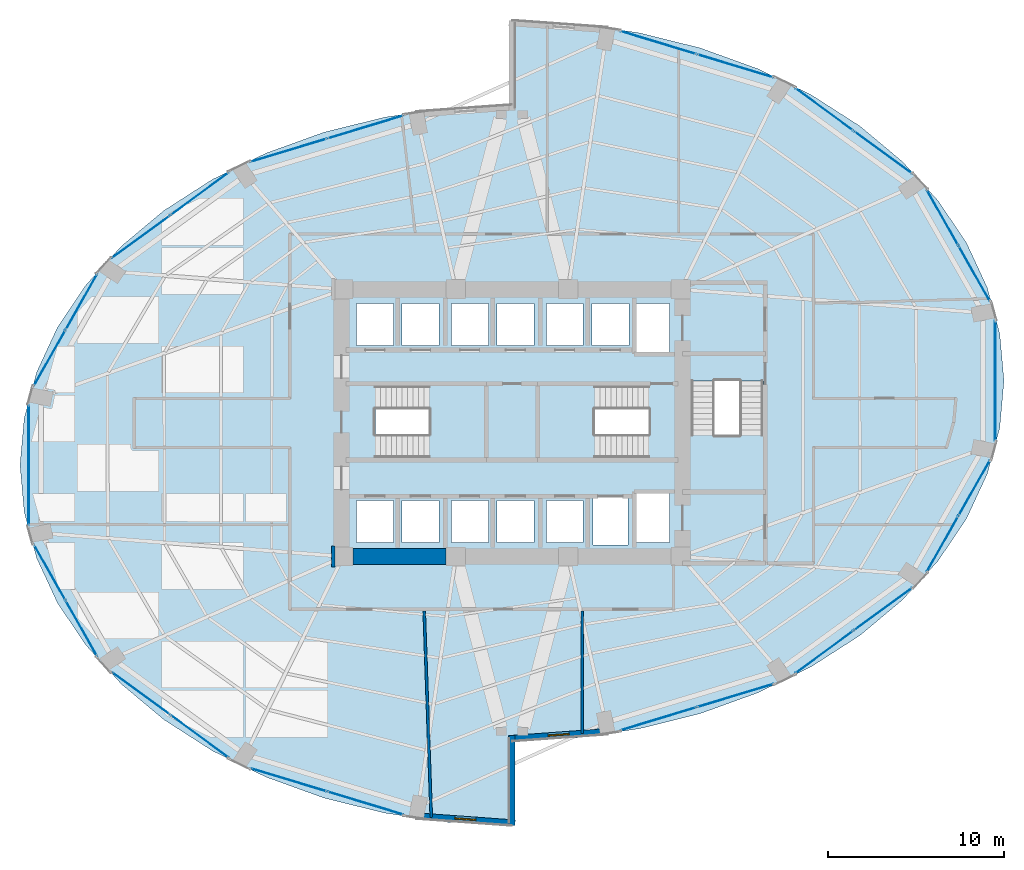
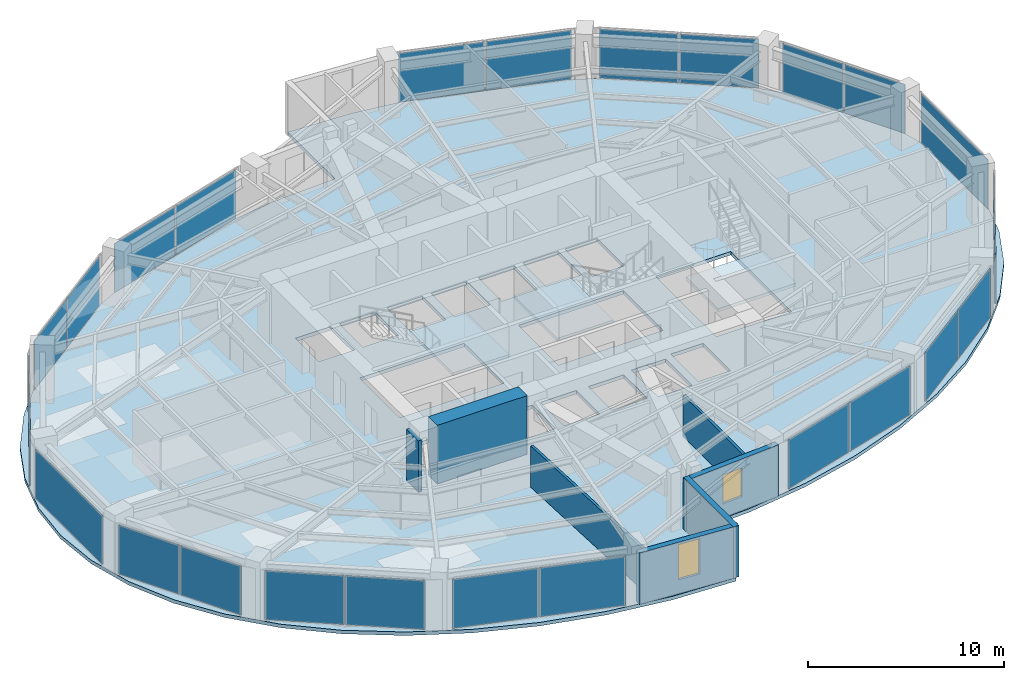
# One storey, part 19 of 24: 26 plates, 7 walls, 4 slabs, 2 windows, 2 openings, 17 elements without a shape of their own.
"""IFC4 building model written with IfcOpenShell, lengths in metres."""

from ifc_helpers import new_model, si_unit, direction, frame, frame_2d, origin, origin_2d, place, context, subcontext, project, spatial, polyline, rectangle, outline, extrude, material, layer, layer_set, type_object, element, fill, aggregate, save


model = new_model("IFC4")

# Units and contexts
model_context = context("Model", 3, precision=1e-05, world=origin(), true_north=direction((0.0, 1.0)))
body_context = subcontext(model_context, "Body", "Model", "MODEL_VIEW")
ifc_project = project(units=[si_unit("LENGTHUNIT", "METRE"), si_unit("AREAUNIT", "SQUARE_METRE"), si_unit("VOLUMEUNIT", "CUBIC_METRE"), si_unit("PLANEANGLEUNIT", "RADIAN"), si_unit("MASSUNIT", "GRAM", prefix="KILO")], contexts=[model_context])

# Site, building, storey
site_placement = place(None, origin())
site = spatial("IfcSite", under=ifc_project, at=site_placement, CompositionType="ELEMENT")
building_placement = place(site_placement, origin())
building = spatial("IfcBuilding", under=site, at=building_placement, Name="Lazwardi Medical Tower", CompositionType="ELEMENT")
storey_placement = place(building_placement, frame((0.0, 0.0, 72.6240234375)))
storey = spatial("IfcBuildingStorey", under=building, at=storey_placement, Name="L18", CompositionType="ELEMENT", Elevation=72.6240234375)

# Curtain wall, plates
ifc_material_1 = material(Name="Anodised bronze aluminium and solar control glazing", Category="aluminium")
ifc_layer_1 = layer(ifc_material_1, 0.199951171875)
ifc_layer_set_1 = layer_set([ifc_layer_1], Name="Anodised bronze aluminium and solar control glazing")
curtain_wall_type = type_object("IfcCurtainWallType", Name="CW-SYS-02", PredefinedType="NOTDEFINED", material=ifc_layer_set_1)
curtain_wall_1_placement = place(storey_placement, origin())
curtain_wall_1 = element("IfcCurtainWall", 1, at=curtain_wall_1_placement, inside=storey, type_object=curtain_wall_type, Name="L18 Unitised bronze curtain wall CW-02", PredefinedType="NOTDEFINED")
ifc_material_2 = material(Name="Low-e bronze solar control double glazing", Category="glass")
ifc_layer_2 = layer(ifc_material_2, 0.035888671875)
ifc_layer_set_2 = layer_set([ifc_layer_2], Name="Low-e bronze solar control double glazing")
plate_type = type_object("IfcPlateType", Name="PLT-GLZ-01", PredefinedType="CURTAIN_PANEL", material=ifc_layer_set_2)
plate_1_placement = place(storey_placement, frame((44.335693359375, 11.158935546875, 0.07470703125), z_axis=(0.0, 0.0, 1.0), x_axis=(0.957058247129, 0.2898956909, 0.0)))
plate_1 = element("IfcPlate", 2, at=plate_1_placement, type_object=plate_type, Name="CW-02 panel 1.1", PredefinedType="CURTAIN_PANEL", context=body_context, shape_type="SweptSolid", body=[
    extrude(rectangle(XDim=4.49658203125, YDim=0.035888671875, at=origin_2d()), origin(), (0.0, 0.0, 1.0), 3.048095703125),
])
plate_2_placement = place(storey_placement, frame((48.7109375, 12.484130859375, 0.07470703125), z_axis=(0.0, 0.0, 1.0), x_axis=(0.957058247129, 0.2898956909, 0.0)))
plate_2 = element("IfcPlate", 3, at=plate_2_placement, type_object=plate_type, Name="CW-02 panel 2.1", PredefinedType="CURTAIN_PANEL", context=body_context, shape_type="SweptSolid", body=[
    extrude(rectangle(XDim=4.49658203125, YDim=0.035888671875, at=origin_2d()), origin(), (0.0, 0.0, 1.0), 3.048095703125),
])
aggregate(curtain_wall_1, [plate_1, plate_2])

curtain_wall_2_placement = place(storey_placement, origin())
curtain_wall_2 = element("IfcCurtainWall", 4, at=curtain_wall_2_placement, inside=storey, type_object=curtain_wall_type, Name="L18 Unitised bronze curtain wall CW-02", PredefinedType="NOTDEFINED")
plate_3_placement = place(storey_placement, frame((53.771484375, 14.957275390625, 0.07470703125), z_axis=(0.0, 0.0, 1.0), x_axis=(0.807191757663, 0.590289307341, 0.0)))
plate_3 = element("IfcPlate", 5, at=plate_3_placement, type_object=plate_type, Name="CW-02 panel 1.1", PredefinedType="CURTAIN_PANEL", context=body_context, shape_type="SweptSolid", body=[
    extrude(rectangle(XDim=4.070068359375, YDim=0.035888671875, at=origin_2d()), origin(), (0.0, 0.0, 1.0), 3.048095703125),
])
plate_4_placement = place(storey_placement, frame((57.117431640625, 17.404052734375, 0.07470703125), z_axis=(0.0, 0.0, 1.0), x_axis=(0.807191757663, 0.590289307341, 0.0)))
plate_4 = element("IfcPlate", 6, at=plate_4_placement, type_object=plate_type, Name="CW-02 panel 2.1", PredefinedType="CURTAIN_PANEL", context=body_context, shape_type="SweptSolid", body=[
    extrude(rectangle(XDim=4.070068359375, YDim=0.035888671875, at=origin_2d()), origin(), (0.0, 0.0, 1.0), 3.048095703125),
])
aggregate(curtain_wall_2, [plate_3, plate_4])

curtain_wall_3_placement = place(storey_placement, origin())
curtain_wall_3 = element("IfcCurtainWall", 7, at=curtain_wall_3_placement, inside=storey, type_object=curtain_wall_type, Name="L18 Unitised bronze curtain wall CW-02", PredefinedType="NOTDEFINED")
plate_5_placement = place(storey_placement, frame((60.5009765625, 21.10791015625, 0.07470703125), z_axis=(0.0, 0.0, 1.0), x_axis=(0.492854327303, 0.870111838823, 0.0)))
plate_5 = element("IfcPlate", 8, at=plate_5_placement, type_object=plate_type, Name="CW-02 panel 1.1", PredefinedType="CURTAIN_PANEL", context=body_context, shape_type="SweptSolid", body=[
    extrude(rectangle(XDim=3.5947265625, YDim=0.035888671875, at=origin_2d()), origin(), (0.0, 0.0, 1.0), 3.048095703125),
])
plate_6_placement = place(storey_placement, frame((62.3095703125, 24.301025390625, 0.07470703125), z_axis=(0.0, 0.0, 1.0), x_axis=(0.492854327303, 0.870111838823, 0.0)))
plate_6 = element("IfcPlate", 9, at=plate_6_placement, type_object=plate_type, Name="CW-02 panel 2.1", PredefinedType="CURTAIN_PANEL", context=body_context, shape_type="SweptSolid", body=[
    extrude(rectangle(XDim=3.5947265625, YDim=0.035888671875, at=origin_2d()), origin(), (0.0, 0.0, 1.0), 3.048095703125),
])
aggregate(curtain_wall_3, [plate_5, plate_6])

# Curtain wall, plate
curtain_wall_4_placement = place(storey_placement, origin())
curtain_wall_4 = element("IfcCurtainWall", 10, at=curtain_wall_4_placement, inside=storey, type_object=curtain_wall_type, Name="L18 Unitised bronze curtain wall CW-02", PredefinedType="NOTDEFINED")
plate_7_placement = place(storey_placement, frame((63.49853515625, 30.39990234375, 0.07470703125), z_axis=(0.0, 0.0, 1.0), x_axis=(0.0, 1.0, 0.0)))
plate_7 = element("IfcPlate", 11, at=plate_7_placement, type_object=plate_type, Name="CW-02 panel 1.1", PredefinedType="CURTAIN_PANEL", context=body_context, shape_type="SweptSolid", body=[
    extrude(rectangle(XDim=6.8330078125, YDim=0.035888671875, at=origin_2d()), origin(), (0.0, 0.0, 1.0), 3.048095703125),
])
aggregate(curtain_wall_4, [plate_7])

# Curtain wall, plates
curtain_wall_5_placement = place(storey_placement, origin())
curtain_wall_5 = element("IfcCurtainWall", 12, at=curtain_wall_5_placement, inside=storey, type_object=curtain_wall_type, Name="L18 Unitised bronze curtain wall CW-02", PredefinedType="NOTDEFINED")
plate_8_placement = place(storey_placement, frame((62.3095703125, 36.498779296875, 0.07470703125), z_axis=(0.0, 0.0, 1.0), x_axis=(-0.492854327303, 0.870111838823, 0.0)))
plate_8 = element("IfcPlate", 13, at=plate_8_placement, type_object=plate_type, Name="CW-02 panel 1.1", PredefinedType="CURTAIN_PANEL", context=body_context, shape_type="SweptSolid", body=[
    extrude(rectangle(XDim=3.5947265625, YDim=0.035888671875, at=origin_2d()), origin(), (0.0, 0.0, 1.0), 3.048095703125),
])
plate_9_placement = place(storey_placement, frame((60.5009765625, 39.69189453125, 0.07470703125), z_axis=(0.0, 0.0, 1.0), x_axis=(-0.492854327303, 0.870111838823, 0.0)))
plate_9 = element("IfcPlate", 14, at=plate_9_placement, type_object=plate_type, Name="CW-02 panel 2.1", PredefinedType="CURTAIN_PANEL", context=body_context, shape_type="SweptSolid", body=[
    extrude(rectangle(XDim=3.5947265625, YDim=0.035888671875, at=origin_2d()), origin(), (0.0, 0.0, 1.0), 3.048095703125),
])
aggregate(curtain_wall_5, [plate_8, plate_9])

curtain_wall_6_placement = place(storey_placement, origin())
curtain_wall_6 = element("IfcCurtainWall", 15, at=curtain_wall_6_placement, inside=storey, type_object=curtain_wall_type, Name="L18 Unitised bronze curtain wall CW-02", PredefinedType="NOTDEFINED")
plate_10_placement = place(storey_placement, frame((57.117431640625, 43.39599609375, 0.07470703125), z_axis=(0.0, 0.0, 1.0), x_axis=(-0.807191757663, 0.590289307341, 0.0)))
plate_10 = element("IfcPlate", 16, at=plate_10_placement, type_object=plate_type, Name="CW-02 panel 1.1", PredefinedType="CURTAIN_PANEL", context=body_context, shape_type="SweptSolid", body=[
    extrude(rectangle(XDim=4.070068359375, YDim=0.035888671875, at=origin_2d()), origin(), (0.0, 0.0, 1.0), 3.048095703125),
])
plate_11_placement = place(storey_placement, frame((53.771484375, 45.8427734375, 0.07470703125), z_axis=(0.0, 0.0, 1.0), x_axis=(-0.807191757663, 0.590289307341, 0.0)))
plate_11 = element("IfcPlate", 17, at=plate_11_placement, type_object=plate_type, Name="CW-02 panel 2.1", PredefinedType="CURTAIN_PANEL", context=body_context, shape_type="SweptSolid", body=[
    extrude(rectangle(XDim=4.070068359375, YDim=0.035888671875, at=origin_2d()), origin(), (0.0, 0.0, 1.0), 3.048095703125),
])
aggregate(curtain_wall_6, [plate_10, plate_11])

curtain_wall_7_placement = place(storey_placement, origin())
curtain_wall_7 = element("IfcCurtainWall", 18, at=curtain_wall_7_placement, inside=storey, type_object=curtain_wall_type, Name="L18 Unitised bronze curtain wall CW-02", PredefinedType="NOTDEFINED")
plate_12_placement = place(storey_placement, frame((48.7109375, 48.31591796875, 0.07470703125), z_axis=(0.0, 0.0, 1.0), x_axis=(-0.957058247129, 0.2898956909, 0.0)))
plate_12 = element("IfcPlate", 19, at=plate_12_placement, type_object=plate_type, Name="CW-02 panel 1.1", PredefinedType="CURTAIN_PANEL", context=body_context, shape_type="SweptSolid", body=[
    extrude(rectangle(XDim=4.49658203125, YDim=0.035888671875, at=origin_2d()), origin(), (0.0, 0.0, 1.0), 3.048095703125),
])
plate_13_placement = place(storey_placement, frame((44.335693359375, 49.64111328125, 0.07470703125), z_axis=(0.0, 0.0, 1.0), x_axis=(-0.957058247129, 0.2898956909, 0.0)))
plate_13 = element("IfcPlate", 20, at=plate_13_placement, type_object=plate_type, Name="CW-02 panel 2.1", PredefinedType="CURTAIN_PANEL", context=body_context, shape_type="SweptSolid", body=[
    extrude(rectangle(XDim=4.49658203125, YDim=0.035888671875, at=origin_2d()), origin(), (0.0, 0.0, 1.0), 3.048095703125),
])
aggregate(curtain_wall_7, [plate_12, plate_13])

curtain_wall_8_placement = place(storey_placement, origin())
curtain_wall_8 = element("IfcCurtainWall", 21, at=curtain_wall_8_placement, inside=storey, type_object=curtain_wall_type, Name="L18 Unitised bronze curtain wall CW-02", PredefinedType="NOTDEFINED")
plate_14_placement = place(storey_placement, frame((27.664306640625, 44.841064453125, 0.07470703125), z_axis=(0.0, 0.0, 1.0), x_axis=(-0.957058247129, -0.2898956909, 0.0)))
plate_14 = element("IfcPlate", 22, at=plate_14_placement, type_object=plate_type, Name="CW-02 panel 1.1", PredefinedType="CURTAIN_PANEL", context=body_context, shape_type="SweptSolid", body=[
    extrude(rectangle(XDim=4.49658203125, YDim=0.035888671875, at=origin_2d()), origin(), (0.0, 0.0, 1.0), 3.048095703125),
])
plate_15_placement = place(storey_placement, frame((23.2890625, 43.515869140625, 0.07470703125), z_axis=(0.0, 0.0, 1.0), x_axis=(-0.957058247129, -0.2898956909, 0.0)))
plate_15 = element("IfcPlate", 23, at=plate_15_placement, type_object=plate_type, Name="CW-02 panel 2.1", PredefinedType="CURTAIN_PANEL", context=body_context, shape_type="SweptSolid", body=[
    extrude(rectangle(XDim=4.49658203125, YDim=0.035888671875, at=origin_2d()), origin(), (0.0, 0.0, 1.0), 3.048095703125),
])
aggregate(curtain_wall_8, [plate_14, plate_15])

curtain_wall_9_placement = place(storey_placement, origin())
curtain_wall_9 = element("IfcCurtainWall", 24, at=curtain_wall_9_placement, inside=storey, type_object=curtain_wall_type, Name="L18 Unitised bronze curtain wall CW-02", PredefinedType="NOTDEFINED")
plate_16_placement = place(storey_placement, frame((18.228515625, 41.042724609375, 0.07470703125), z_axis=(0.0, 0.0, 1.0), x_axis=(-0.807191757663, -0.590289307341, 0.0)))
plate_16 = element("IfcPlate", 25, at=plate_16_placement, type_object=plate_type, Name="CW-02 panel 1.1", PredefinedType="CURTAIN_PANEL", context=body_context, shape_type="SweptSolid", body=[
    extrude(rectangle(XDim=4.070068359375, YDim=0.035888671875, at=origin_2d()), origin(), (0.0, 0.0, 1.0), 3.048095703125),
])
plate_17_placement = place(storey_placement, frame((14.882568359375, 38.595947265625, 0.07470703125), z_axis=(0.0, 0.0, 1.0), x_axis=(-0.807191757663, -0.590289307341, 0.0)))
plate_17 = element("IfcPlate", 26, at=plate_17_placement, type_object=plate_type, Name="CW-02 panel 2.1", PredefinedType="CURTAIN_PANEL", context=body_context, shape_type="SweptSolid", body=[
    extrude(rectangle(XDim=4.070068359375, YDim=0.035888671875, at=origin_2d()), origin(), (0.0, 0.0, 1.0), 3.048095703125),
])
aggregate(curtain_wall_9, [plate_16, plate_17])

curtain_wall_10_placement = place(storey_placement, origin())
curtain_wall_10 = element("IfcCurtainWall", 27, at=curtain_wall_10_placement, inside=storey, type_object=curtain_wall_type, Name="L18 Unitised bronze curtain wall CW-02", PredefinedType="NOTDEFINED")
plate_18_placement = place(storey_placement, frame((11.4990234375, 34.89208984375, 0.07470703125), z_axis=(0.0, 0.0, 1.0), x_axis=(-0.492854327303, -0.870111838823, 0.0)))
plate_18 = element("IfcPlate", 28, at=plate_18_placement, type_object=plate_type, Name="CW-02 panel 1.1", PredefinedType="CURTAIN_PANEL", context=body_context, shape_type="SweptSolid", body=[
    extrude(rectangle(XDim=3.5947265625, YDim=0.035888671875, at=origin_2d()), origin(), (0.0, 0.0, 1.0), 3.048095703125),
])
plate_19_placement = place(storey_placement, frame((9.6904296875, 31.698974609375, 0.07470703125), z_axis=(0.0, 0.0, 1.0), x_axis=(-0.492854327303, -0.870111838823, 0.0)))
plate_19 = element("IfcPlate", 29, at=plate_19_placement, type_object=plate_type, Name="CW-02 panel 2.1", PredefinedType="CURTAIN_PANEL", context=body_context, shape_type="SweptSolid", body=[
    extrude(rectangle(XDim=3.5947265625, YDim=0.035888671875, at=origin_2d()), origin(), (0.0, 0.0, 1.0), 3.048095703125),
])
aggregate(curtain_wall_10, [plate_18, plate_19])

# Curtain wall, plate
curtain_wall_11_placement = place(storey_placement, origin())
curtain_wall_11 = element("IfcCurtainWall", 30, at=curtain_wall_11_placement, inside=storey, type_object=curtain_wall_type, Name="L18 Unitised bronze curtain wall CW-02", PredefinedType="NOTDEFINED")
plate_20_placement = place(storey_placement, frame((8.50146484375, 25.60009765625, 0.07470703125), z_axis=(0.0, 0.0, 1.0), x_axis=(0.0, -1.0, 0.0)))
plate_20 = element("IfcPlate", 31, at=plate_20_placement, type_object=plate_type, Name="CW-02 panel 1.1", PredefinedType="CURTAIN_PANEL", context=body_context, shape_type="SweptSolid", body=[
    extrude(rectangle(XDim=6.8330078125, YDim=0.035888671875, at=origin_2d()), origin(), (0.0, 0.0, 1.0), 3.048095703125),
])
aggregate(curtain_wall_11, [plate_20])

# Curtain wall, plates
curtain_wall_12_placement = place(storey_placement, origin())
curtain_wall_12 = element("IfcCurtainWall", 32, at=curtain_wall_12_placement, inside=storey, type_object=curtain_wall_type, Name="L18 Unitised bronze curtain wall CW-02", PredefinedType="NOTDEFINED")
plate_21_placement = place(storey_placement, frame((9.6904296875, 19.501220703125, 0.07470703125), z_axis=(0.0, 0.0, 1.0), x_axis=(0.492854327303, -0.870111838823, 0.0)))
plate_21 = element("IfcPlate", 33, at=plate_21_placement, type_object=plate_type, Name="CW-02 panel 1.1", PredefinedType="CURTAIN_PANEL", context=body_context, shape_type="SweptSolid", body=[
    extrude(rectangle(XDim=3.5947265625, YDim=0.035888671875, at=origin_2d()), origin(), (0.0, 0.0, 1.0), 3.048095703125),
])
plate_22_placement = place(storey_placement, frame((11.4990234375, 16.30810546875, 0.07470703125), z_axis=(0.0, 0.0, 1.0), x_axis=(0.492854327303, -0.870111838823, 0.0)))
plate_22 = element("IfcPlate", 34, at=plate_22_placement, type_object=plate_type, Name="CW-02 panel 2.1", PredefinedType="CURTAIN_PANEL", context=body_context, shape_type="SweptSolid", body=[
    extrude(rectangle(XDim=3.5947265625, YDim=0.035888671875, at=origin_2d()), origin(), (0.0, 0.0, 1.0), 3.048095703125),
])
aggregate(curtain_wall_12, [plate_21, plate_22])

curtain_wall_13_placement = place(storey_placement, origin())
curtain_wall_13 = element("IfcCurtainWall", 35, at=curtain_wall_13_placement, inside=storey, type_object=curtain_wall_type, Name="L18 Unitised bronze curtain wall CW-02", PredefinedType="NOTDEFINED")
plate_23_placement = place(storey_placement, frame((14.882568359375, 12.60400390625, 0.07470703125), z_axis=(0.0, 0.0, 1.0), x_axis=(0.807191757663, -0.590289307341, 0.0)))
plate_23 = element("IfcPlate", 36, at=plate_23_placement, type_object=plate_type, Name="CW-02 panel 1.1", PredefinedType="CURTAIN_PANEL", context=body_context, shape_type="SweptSolid", body=[
    extrude(rectangle(XDim=4.070068359375, YDim=0.035888671875, at=origin_2d()), origin(), (0.0, 0.0, 1.0), 3.048095703125),
])
plate_24_placement = place(storey_placement, frame((18.228515625, 10.1572265625, 0.07470703125), z_axis=(0.0, 0.0, 1.0), x_axis=(0.807191757663, -0.590289307341, 0.0)))
plate_24 = element("IfcPlate", 37, at=plate_24_placement, type_object=plate_type, Name="CW-02 panel 2.1", PredefinedType="CURTAIN_PANEL", context=body_context, shape_type="SweptSolid", body=[
    extrude(rectangle(XDim=4.070068359375, YDim=0.035888671875, at=origin_2d()), origin(), (0.0, 0.0, 1.0), 3.048095703125),
])
aggregate(curtain_wall_13, [plate_23, plate_24])

curtain_wall_14_placement = place(storey_placement, origin())
curtain_wall_14 = element("IfcCurtainWall", 38, at=curtain_wall_14_placement, inside=storey, type_object=curtain_wall_type, Name="L18 Unitised bronze curtain wall CW-02", PredefinedType="NOTDEFINED")
plate_25_placement = place(storey_placement, frame((23.2890625, 7.68408203125, 0.07470703125), z_axis=(0.0, 0.0, 1.0), x_axis=(0.957058247129, -0.2898956909, 0.0)))
plate_25 = element("IfcPlate", 39, at=plate_25_placement, type_object=plate_type, Name="CW-02 panel 1.1", PredefinedType="CURTAIN_PANEL", context=body_context, shape_type="SweptSolid", body=[
    extrude(rectangle(XDim=4.49658203125, YDim=0.035888671875, at=origin_2d()), origin(), (0.0, 0.0, 1.0), 3.048095703125),
])
plate_26_placement = place(storey_placement, frame((27.664306640625, 6.35888671875, 0.07470703125), z_axis=(0.0, 0.0, 1.0), x_axis=(0.957058247129, -0.2898956909, 0.0)))
plate_26 = element("IfcPlate", 40, at=plate_26_placement, type_object=plate_type, Name="CW-02 panel 2.1", PredefinedType="CURTAIN_PANEL", context=body_context, shape_type="SweptSolid", body=[
    extrude(rectangle(XDim=4.49658203125, YDim=0.035888671875, at=origin_2d()), origin(), (0.0, 0.0, 1.0), 3.048095703125),
])
aggregate(curtain_wall_14, [plate_25, plate_26])

# Stair, slab
ifc_material_3 = material(Name="Concrete C45/55", Category="concrete")
stair_type = type_object("IfcStairType", Name="STR-WRD", PredefinedType="HALF_TURN_STAIR", material=ifc_material_3)
stair_1_placement = place(storey_placement, origin())
stair_1 = element("IfcStair", 41, at=stair_1_placement, inside=storey, type_object=stair_type, Name="L18 Protected Exit Stair ST1", PredefinedType="HALF_TURN_STAIR")
ifc_layer_3 = layer(ifc_material_3, 0.199951171875)
ifc_layer_set_3 = layer_set([ifc_layer_3], Name="Concrete C45/55")
slab_type_1 = type_object("IfcSlabType", Name="SLB-LND-190", PredefinedType="LANDING", material=ifc_layer_set_3)
slab_1_placement = place(storey_placement, frame((0.0, 0.0, 1.6240234375)))
slab_1 = element("IfcSlab", 42, at=slab_1_placement, type_object=slab_type_1, Name="ST1 landing 1", PredefinedType="LANDING", context=body_context, shape_type="SweptSolid", body=[
    extrude(outline(polyline([(31.27490234375, 25.840087890625), (34.580078125, 25.840087890625), (34.580078125, 30.280029296875), (31.27490234375, 30.280029296875), (31.27490234375, 25.840087890625)])), origin(), (0.0, 0.0, 1.0), 0.199951171875),
])
aggregate(stair_1, [slab_1])

stair_2_placement = place(storey_placement, origin())
stair_2 = element("IfcStair", 43, at=stair_2_placement, inside=storey, type_object=stair_type, Name="L18 Protected Exit Stair ST2", PredefinedType="HALF_TURN_STAIR")
slab_2_placement = place(storey_placement, frame((0.0, 0.0, 1.6240234375)))
slab_2 = element("IfcSlab", 44, at=slab_2_placement, type_object=slab_type_1, Name="ST2 landing 1", PredefinedType="LANDING", context=body_context, shape_type="SweptSolid", body=[
    extrude(outline(polyline([(40.72509765625, 30.280029296875), (37.419921875, 30.280029296875), (37.419921875, 25.840087890625), (40.72509765625, 25.840087890625), (40.72509765625, 30.280029296875)])), origin(), (0.0, 0.0, 1.0), 0.199951171875),
])
aggregate(stair_2, [slab_2])

stair_3_placement = place(storey_placement, origin())
stair_3 = element("IfcStair", 45, at=stair_3_placement, inside=storey, type_object=stair_type, Name="L18 Protected Exit Stair ST3", PredefinedType="HALF_TURN_STAIR")
slab_3_placement = place(storey_placement, frame((0.0, 0.0, 1.6240234375)))
slab_3 = element("IfcSlab", 46, at=slab_3_placement, type_object=slab_type_1, Name="ST3 landing 1", PredefinedType="LANDING", context=body_context, shape_type="SweptSolid", body=[
    extrude(outline(polyline([(45.860107421875, 27.324951171875), (45.860107421875, 24.02001953125), (50.4599609375, 24.02001953125), (50.4599609375, 27.324951171875), (45.860107421875, 27.324951171875)])), origin(), (0.0, 0.0, 1.0), 0.199951171875),
])
aggregate(stair_3, [slab_3])

# Slab
ifc_material_4 = material(Name="Concrete C50/60", Category="concrete")
ifc_layer_4 = layer(ifc_material_4, 0.219970703125)
ifc_layer_set_4 = layer_set([ifc_layer_4], Name="Concrete C50/60")
slab_type_2 = type_object("IfcSlabType", Name="SLB-WRD-220", PredefinedType="FLOOR", material=ifc_layer_set_4)
slab_4_placement = place(storey_placement, frame((0.0, 0.0, -0.219970703125)))
element("IfcSlab", 47, at=slab_4_placement, inside=storey, type_object=slab_type_2, Name="Structural floor slab SF-03 L18", PredefinedType="FLOOR", context=body_context, shape_type="SweptSolid", body=[
    extrude(outline(polyline([(10.13134765625, 33.445068359375), (8.9541015625, 30.90576171875), (8.239501953125, 28.27587890625), (8.0, 25.60009765625), (8.239501953125, 22.92431640625), (8.9541015625, 20.294189453125), (10.13134765625, 17.7548828125), (11.751220703125, 15.35009765625), (13.7861328125, 13.120361328125), (16.200927734375, 11.104248046875), (18.95458984375, 9.336181640625), (22.0, 7.846435546875), (25.284912109375, 6.660400390625), (28.753173828125, 5.798583984375), (32.34521484375, 5.275390625), (36.0, 5.10009765625), (36.0, 9.89990234375), (39.65478515625, 10.075439453125), (43.246826171875, 10.598388671875), (46.715087890625, 11.46044921875), (50.0, 12.646484375), (53.04541015625, 14.13623046875), (55.799072265625, 15.904296875), (58.2138671875, 17.92041015625), (60.248779296875, 20.14990234375), (61.86865234375, 22.554931640625), (63.0458984375, 25.09423828125), (63.760498046875, 27.72412109375), (64.0, 30.39990234375), (63.760498046875, 33.07568359375), (63.0458984375, 35.705810546875), (61.86865234375, 38.2451171875), (60.248779296875, 40.64990234375), (58.2138671875, 42.879638671875), (55.799072265625, 44.895751953125), (53.04541015625, 46.663818359375), (50.0, 48.153564453125), (46.715087890625, 49.339599609375), (43.246826171875, 50.201416015625), (39.65478515625, 50.724609375), (36.0, 50.89990234375), (36.0, 46.10009765625), (32.34521484375, 45.924560546875), (28.753173828125, 45.401611328125), (25.284912109375, 44.53955078125), (22.0, 43.353515625), (18.95458984375, 41.86376953125), (16.200927734375, 40.095703125), (13.7861328125, 38.07958984375), (11.751220703125, 35.85009765625), (10.13134765625, 33.445068359375)]), holes=[polyline([(28.22509765625, 26.02001953125), (28.22509765625, 30.10009765625), (34.39990234375, 30.10009765625), (34.39990234375, 26.02001953125), (28.22509765625, 26.02001953125)]), polyline([(37.60009765625, 30.10009765625), (43.77490234375, 30.10009765625), (43.77490234375, 26.02001953125), (37.60009765625, 26.02001953125), (37.60009765625, 30.10009765625)]), polyline([(50.280029296875, 30.375), (50.280029296875, 24.179931640625), (45.840087890625, 24.179931640625), (45.840087890625, 30.375), (50.280029296875, 30.375)]), polyline([(29.25, 32.39990234375), (27.14990234375, 32.39990234375), (27.14990234375, 34.800048828125), (29.25, 34.800048828125), (29.25, 32.39990234375)]), polyline([(29.75, 32.39990234375), (29.75, 34.800048828125), (31.85009765625, 34.800048828125), (31.85009765625, 32.39990234375), (29.75, 32.39990234375)]), polyline([(27.14990234375, 23.60009765625), (29.25, 23.60009765625), (29.25, 21.199951171875), (27.14990234375, 21.199951171875), (27.14990234375, 23.60009765625)]), polyline([(31.85009765625, 23.60009765625), (31.85009765625, 21.199951171875), (29.75, 21.199951171875), (29.75, 23.60009765625), (31.85009765625, 23.60009765625)]), polyline([(34.64990234375, 32.39990234375), (32.550048828125, 32.39990234375), (32.550048828125, 34.800048828125), (34.64990234375, 34.800048828125), (34.64990234375, 32.39990234375)]), polyline([(35.14990234375, 32.39990234375), (35.14990234375, 34.800048828125), (37.25, 34.800048828125), (37.25, 32.39990234375), (35.14990234375, 32.39990234375)]), polyline([(32.550048828125, 23.60009765625), (34.64990234375, 23.60009765625), (34.64990234375, 21.199951171875), (32.550048828125, 21.199951171875), (32.550048828125, 23.60009765625)]), polyline([(37.25, 23.60009765625), (37.25, 21.199951171875), (35.14990234375, 21.199951171875), (35.14990234375, 23.60009765625), (37.25, 23.60009765625)]), polyline([(40.050048828125, 32.39990234375), (37.949951171875, 32.39990234375), (37.949951171875, 34.800048828125), (40.050048828125, 34.800048828125), (40.050048828125, 32.39990234375)]), polyline([(40.550048828125, 32.39990234375), (40.550048828125, 34.800048828125), (42.64990234375, 34.800048828125), (42.64990234375, 32.39990234375), (40.550048828125, 32.39990234375)]), polyline([(37.949951171875, 23.60009765625), (40.050048828125, 23.60009765625), (40.050048828125, 21.199951171875), (37.949951171875, 21.199951171875), (37.949951171875, 23.60009765625)]), polyline([(44.949951171875, 34.800048828125), (44.949951171875, 32.0), (43.050048828125, 32.0), (43.050048828125, 34.800048828125), (44.949951171875, 34.800048828125)]), polyline([(44.949951171875, 21.199951171875), (43.050048828125, 21.199951171875), (43.050048828125, 24.0), (44.949951171875, 24.0), (44.949951171875, 21.199951171875)]), polyline([(40.60009765625, 21.050048828125), (40.60009765625, 23.75), (42.60009765625, 23.75), (42.60009765625, 21.050048828125), (40.60009765625, 21.050048828125)])]), origin(), (0.0, 0.0, 1.0), 0.219970703125),
])

# Walls
ifc_material_5 = material(Name="Fire-rated gypsum board on steel stud", Category="steel")
ifc_layer_5 = layer(ifc_material_5, 0.179931640625)
ifc_layer_set_5 = layer_set([ifc_layer_5], Name="Fire-rated gypsum board on steel stud")
wall_type_1 = type_object("IfcWallType", Name="WL-COR-180", PredefinedType="PARTITIONING", material=ifc_layer_set_5)
wall_1_placement = place(storey_placement, frame((25.830078125, 21.010009765625, 0.0), z_axis=(0.0, 0.0, 1.0), x_axis=(0.0, -1.0, 0.0)))
element("IfcWall", 48, at=wall_1_placement, inside=storey, type_object=wall_type_1, Name="L18 Corridor partition 13", PredefinedType="PARTITIONING", context=body_context, shape_type="SweptSolid", body=[
    extrude(rectangle(XDim=1.219970703125, YDim=0.179931640625, at=frame_2d((0.60986328125, 0.0))), origin(), (0.0, 0.0, 1.0), 3.197998046875),
])
ifc_material_6 = material(Name="Concrete C80/95", Category="concrete")
ifc_layer_6 = layer(ifc_material_6, 0.89990234375)
ifc_layer_set_6 = layer_set([ifc_layer_6], Name="Concrete C80/95")
wall_type_2 = type_object("IfcWallType", Name="WL-CORE-900", PredefinedType="SHEAR", material=ifc_layer_set_6)
wall_2_placement = place(storey_placement, frame((26.949951171875, 20.39990234375, 0.0), z_axis=(0.0, 0.0, 1.0), x_axis=(1.0, 0.0, 0.0)))
element("IfcWall", 49, at=wall_2_placement, inside=storey, type_object=wall_type_2, Name="Core wall CW-S1 S1 L18", PredefinedType="SHEAR", context=body_context, shape_type="SweptSolid", body=[
    extrude(rectangle(XDim=5.300048828125, YDim=0.89990234375, at=frame_2d((2.64990234375, 0.0))), origin(), (0.0, 0.0, 1.0), 3.64794921875),
])

# Wall, opening, window
ifc_material_7 = material(Name="Precast concrete C45/55", Category="concrete")
ifc_layer_7 = layer(ifc_material_7, 0.320068359375)
ifc_layer_set_7 = layer_set([ifc_layer_7], Name="Precast concrete C45/55")
wall_type_3 = type_object("IfcWallType", Name="WL-IWAN-320", PredefinedType="SOLIDWALL", material=ifc_layer_set_7)
wall_3_placement = place(storey_placement, frame((35.820556640625, 10.047119140625, 0.0), z_axis=(0.0, 0.0, 1.0), x_axis=(0.997422321809, 0.071754525696, 0.0)))
wall_3 = element("IfcWall", 50, at=wall_3_placement, inside=storey, type_object=wall_type_3, Name="L18 Iwan Portal Return Wall SE_ret", PredefinedType="SOLIDWALL", context=body_context, shape_type="SweptSolid", body=[
    extrude(rectangle(XDim=5.67529296875, YDim=0.320068359375, at=frame_2d((2.837646484375, 0.0))), origin(), (0.0, 0.0, 1.0), 3.197998046875),
])
opening_1_placement = place(wall_3_placement, frame((2.23779296875, 0.0, 0.85009765625)))
opening_1 = element("IfcOpeningElement", 51, at=opening_1_placement, cuts=wall_3, Name="Opening WN-04", PredefinedType="OPENING", context=body_context, shape_type="SweptSolid", body=[
    extrude(rectangle(XDim=1.199951171875, YDim=1.800048828125, at=frame_2d((0.60009765625, 0.89990234375))), frame((0.0, 0.169921875, 0.0), z_axis=(0.0, -1.0, 0.0), x_axis=(1.0, 0.0, 0.0)), (0.0, 0.0, 1.0), 0.340087890625),
])
window_type_1 = type_object("IfcWindowType", Name="WIN-DRUM-1200", PartitioningType="SINGLE_PANEL", PredefinedType="WINDOW", material=ifc_material_2)
window_1_placement = place(opening_1_placement, origin())
window_1 = element("IfcWindow", 52, at=window_1_placement, inside=storey, type_object=window_type_1, Name="L18 Iwan Slot Window SE_ret", OverallHeight=1.800048828125, OverallWidth=1.199951171875, PartitioningType="SINGLE_PANEL", PredefinedType="WINDOW", context=body_context, shape_type="SweptSolid", body=[
    extrude(rectangle(XDim=1.199951171875, YDim=1.800048828125, at=frame_2d((0.60009765625, 0.89990234375))), frame((0.0, 0.030029296875, 0.0), z_axis=(0.0, -1.0, 0.0), x_axis=(1.0, 0.0, 0.0)), (0.0, 0.0, 1.0), 0.06005859375),
])
fill(opening_1, window_1)

wall_4_placement = place(storey_placement, frame((30.518798828125, 5.654296875, 0.0), z_axis=(0.0, 0.0, 1.0), x_axis=(0.997421878774, -0.071760683825, 0.0)))
wall_4 = element("IfcWall", 53, at=wall_4_placement, inside=storey, type_object=wall_type_3, Name="L18 Iwan Portal Return Wall SW_ret", PredefinedType="SOLIDWALL", context=body_context, shape_type="SweptSolid", body=[
    extrude(rectangle(XDim=5.6748046875, YDim=0.320068359375, at=frame_2d((2.83740234375, 0.0))), origin(), (0.0, 0.0, 1.0), 3.197998046875),
])
opening_2_placement = place(wall_4_placement, frame((2.2373046875, 0.0, 0.85009765625)))
opening_2 = element("IfcOpeningElement", 54, at=opening_2_placement, cuts=wall_4, Name="Opening WN-01", PredefinedType="OPENING", context=body_context, shape_type="SweptSolid", body=[
    extrude(rectangle(XDim=1.199951171875, YDim=2.199951171875, at=frame_2d((0.60009765625, 1.10009765625))), frame((0.0, 0.169921875, 0.0), z_axis=(0.0, -1.0, 0.0), x_axis=(1.0, 0.0, 0.0)), (0.0, 0.0, 1.0), 0.340087890625),
])
window_type_2 = type_object("IfcWindowType", Name="WIN-IW-1200", PartitioningType="SINGLE_PANEL", PredefinedType="WINDOW", material=ifc_material_2)
window_2_placement = place(opening_2_placement, origin())
window_2 = element("IfcWindow", 55, at=window_2_placement, inside=storey, type_object=window_type_2, Name="L18 Iwan Slot Window SW_ret", OverallHeight=2.199951171875, OverallWidth=1.199951171875, PartitioningType="SINGLE_PANEL", PredefinedType="WINDOW", context=body_context, shape_type="SweptSolid", body=[
    extrude(rectangle(XDim=1.199951171875, YDim=2.199951171875, at=frame_2d((0.60009765625, 1.10009765625))), frame((0.0, 0.030029296875, 0.0), z_axis=(0.0, -1.0, 0.0), x_axis=(1.0, 0.0, 0.0)), (0.0, 0.0, 1.0), 0.06005859375),
])
fill(opening_2, window_2)

# Walls
wall_5_placement = place(storey_placement, frame((36.0, 5.10009765625, 0.0), z_axis=(0.0, 0.0, 1.0), x_axis=(0.0, 1.0, 0.0)))
element("IfcWall", 56, at=wall_5_placement, inside=storey, type_object=wall_type_3, Name="L18 Turquoise Tilework Iwan Seam Wall S_seam", PredefinedType="SOLIDWALL", context=body_context, shape_type="SweptSolid", body=[
    extrude(rectangle(XDim=5.119873046875, YDim=0.320068359375, at=frame_2d((2.56005859375, 0.0))), origin(), (0.0, 0.0, 1.0), 3.197998046875),
])
ifc_material_8 = material(Name="Acoustic gypsum board partition")
ifc_layer_8 = layer(ifc_material_8, 0.14990234375)
ifc_layer_set_8 = layer_set([ifc_layer_8], Name="Acoustic gypsum board partition")
wall_type_4 = type_object("IfcWallType", Name="WL-WRD-150", PredefinedType="PARTITIONING", material=ifc_layer_set_8)
wall_6_placement = place(storey_placement, frame((31.405029296875, 5.55908203125, 0.0), z_axis=(0.0, 0.0, 1.0), x_axis=(-0.034219123574, 0.9994143543, 0.0)))
element("IfcWall", 57, at=wall_6_placement, inside=storey, type_object=wall_type_4, Name="L18 Room partition 7", PredefinedType="PARTITIONING", context=body_context, shape_type="SweptSolid", body=[
    extrude(rectangle(XDim=11.7578125, YDim=0.14990234375, at=frame_2d((5.87890625, 0.0))), origin(), (0.0, 0.0, 1.0), 2.5830078125),
])
wall_7_placement = place(storey_placement, frame((40.0, 10.337890625, 0.0), z_axis=(0.0, 0.0, 1.0), x_axis=(0.0, 1.0, 0.0)))
element("IfcWall", 58, at=wall_7_placement, inside=storey, type_object=wall_type_4, Name="L18 Room partition 8", PredefinedType="PARTITIONING", context=body_context, shape_type="SweptSolid", body=[
    extrude(rectangle(XDim=6.97216796875, YDim=0.14990234375, at=frame_2d((3.486083984375, 0.0))), origin(), (0.0, 0.0, 1.0), 2.5830078125),
])

save(model, "model.ifc")
